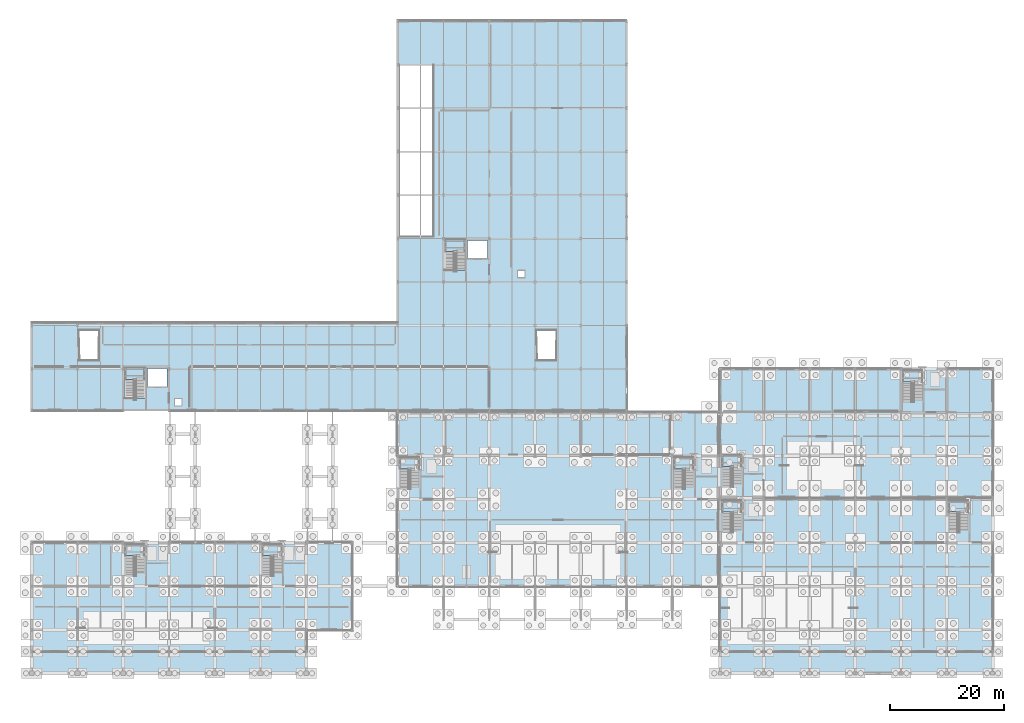
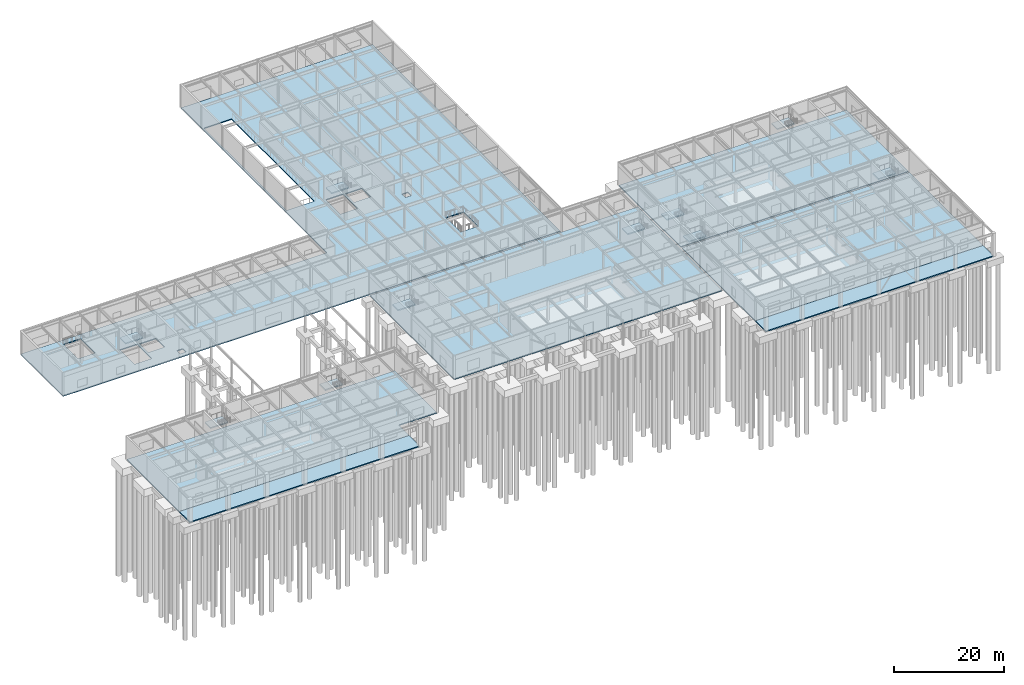
# One storey, part 35 of 62: 17 slabs, 10 elements without a shape of their own.
"""IFC4 building model written with IfcOpenShell, lengths in metres."""

from ifc_helpers import new_model, si_unit, direction, frame, origin, place, context, subcontext, project, spatial, polyline, outline, extrude, material, layer, layer_set, type_object, element, aggregate, save


model = new_model("IFC4")

# Units and contexts
model_context = context("Model", 3, precision=1e-05, world=origin(), true_north=direction((0.0, 1.0)))
body_context = subcontext(model_context, "Body", "Model", "MODEL_VIEW")
ifc_project = project(units=[si_unit("LENGTHUNIT", "METRE"), si_unit("AREAUNIT", "SQUARE_METRE"), si_unit("VOLUMEUNIT", "CUBIC_METRE"), si_unit("PLANEANGLEUNIT", "RADIAN"), si_unit("MASSUNIT", "GRAM", prefix="KILO")], contexts=[model_context])

# Site, building, storey
site_placement = place(None, origin())
site = spatial("IfcSite", under=ifc_project, at=site_placement, CompositionType="ELEMENT")
building_placement = place(site_placement, origin())
building = spatial("IfcBuilding", under=site, at=building_placement, Name="Zulena Civic Courthouse", CompositionType="ELEMENT")
storey_placement = place(building_placement, origin())
storey = spatial("IfcBuildingStorey", under=building, at=storey_placement, Name="L00", CompositionType="ELEMENT", Elevation=0.0)

# Slabs
ifc_material_1 = material(Name="Concrete C35/45", Category="concrete")
ifc_layer_1 = layer(ifc_material_1, 0.22998046875)
ifc_layer_set_1 = layer_set([ifc_layer_1], Name="Concrete C35/45")
slab_type_1 = type_object("IfcSlabType", Name="ArcadeSlab_230", PredefinedType="BASESLAB", material=ifc_layer_set_1)
slab_1_placement = place(storey_placement, frame((0.0, 0.0, -0.22998046875)))
element("IfcSlab", 1, at=slab_1_placement, inside=storey, type_object=slab_type_1, Name="slab:arcade:1", PredefinedType="BASESLAB", context=body_context, shape_type="SweptSolid", body=[
    extrude(outline(polyline([(4.0, 0.0), (52.0, 0.0), (52.0, 3.800048828125), (4.0, 3.800048828125), (4.0, 0.0)])), origin(), (0.0, 0.0, 1.0), 0.22998046875),
])
slab_2_placement = place(storey_placement, frame((0.0, 0.0, -0.22998046875)))
element("IfcSlab", 2, at=slab_2_placement, inside=storey, type_object=slab_type_1, Name="slab:arcade:2", PredefinedType="BASESLAB", context=body_context, shape_type="SweptSolid", body=[
    extrude(outline(polyline([(124.39990234375, 0.0), (172.0, 0.0), (172.0, 3.800048828125), (124.39990234375, 3.800048828125), (124.39990234375, 0.0)])), origin(), (0.0, 0.0, 1.0), 0.22998046875),
])
ifc_layer_2 = layer(ifc_material_1, 0.219970703125)
ifc_layer_set_2 = layer_set([ifc_layer_2], Name="Concrete C35/45")
slab_type_2 = type_object("IfcSlabType", Name="GroundSlab_220", PredefinedType="BASESLAB", material=ifc_layer_set_2)
slab_3_placement = place(storey_placement, frame((0.0, 0.0, -0.219970703125)))
element("IfcSlab", 3, at=slab_3_placement, inside=storey, type_object=slab_type_2, Name="slab:V1:L00", PredefinedType="BASESLAB", context=body_context, shape_type="SweptSolid", body=[
    extrude(outline(polyline([(124.39990234375, 3.800048828125), (172.0, 3.800048828125), (172.0, 30.39990234375), (124.39990234375, 30.39990234375), (124.39990234375, 3.800048828125)])), origin(), (0.0, 0.0, 1.0), 0.219970703125),
])
slab_4_placement = place(storey_placement, frame((0.0, 0.0, -0.219970703125)))
element("IfcSlab", 4, at=slab_4_placement, inside=storey, type_object=slab_type_2, Name="slab:V2:L00", PredefinedType="BASESLAB", context=body_context, shape_type="SweptSolid", body=[
    extrude(outline(polyline([(4.0, 3.800048828125), (52.0, 3.800048828125), (52.0, 7.60009765625), (60.0, 7.60009765625), (60.0, 22.800048828125), (4.0, 22.800048828125), (4.0, 3.800048828125)])), origin(), (0.0, 0.0, 1.0), 0.219970703125),
])
slab_5_placement = place(storey_placement, frame((0.0, 0.0, -0.219970703125)))
element("IfcSlab", 5, at=slab_5_placement, inside=storey, type_object=slab_type_2, Name="slab:V3:L00", PredefinedType="BASESLAB", context=body_context, shape_type="SweptSolid", body=[
    extrude(outline(polyline([(124.39990234375, 30.800048828125), (172.0, 30.800048828125), (172.0, 53.199951171875), (124.39990234375, 53.199951171875), (124.39990234375, 30.800048828125)])), origin(), (0.0, 0.0, 1.0), 0.219970703125),
])
slab_6_placement = place(storey_placement, frame((0.0, 0.0, -0.219970703125)))
element("IfcSlab", 6, at=slab_6_placement, inside=storey, type_object=slab_type_2, Name="slab:V4:L00", PredefinedType="BASESLAB", context=body_context, shape_type="SweptSolid", body=[
    extrude(outline(polyline([(68.0, 15.199951171875), (124.0, 15.199951171875), (124.0, 45.60009765625), (68.0, 45.60009765625), (68.0, 15.199951171875)])), origin(), (0.0, 0.0, 1.0), 0.219970703125),
])
slab_7_placement = place(storey_placement, frame((0.0, 0.0, -0.219970703125)))
element("IfcSlab", 7, at=slab_7_placement, inside=storey, type_object=slab_type_2, Name="slab:V5:L00", PredefinedType="BASESLAB", context=body_context, shape_type="SweptSolid", body=[
    extrude(outline(polyline([(68.0, 114.0), (108.0, 114.0), (108.0, 46.0), (4.0, 46.0), (4.0, 61.199951171875), (68.0, 61.199951171875), (68.0, 114.0)]), holes=[polyline([(23.81005859375, 48.1201171875), (23.81005859375, 53.409912109375), (20.18994140625, 53.409912109375), (20.18994140625, 48.1201171875), (23.81005859375, 48.1201171875)]), polyline([(24.199951171875, 50.10009765625), (27.64990234375, 50.10009765625), (27.64990234375, 53.25), (24.199951171875, 53.25), (24.199951171875, 50.10009765625)]), polyline([(76.18994140625, 75.81005859375), (76.18994140625, 70.52001953125), (79.81005859375, 70.52001953125), (79.81005859375, 75.81005859375), (76.18994140625, 75.81005859375)]), polyline([(83.64990234375, 75.64990234375), (80.199951171875, 75.64990234375), (80.199951171875, 72.5), (83.64990234375, 72.5), (83.64990234375, 75.64990234375)]), polyline([(30.199951171875, 46.800048828125), (30.199951171875, 48.0), (29.0, 48.0), (29.0, 46.800048828125), (30.199951171875, 46.800048828125)]), polyline([(89.0, 69.199951171875), (90.199951171875, 69.199951171875), (90.199951171875, 70.39990234375), (89.0, 70.39990234375), (89.0, 69.199951171875)]), polyline([(68.35009765625, 106.39990234375), (68.35009765625, 76.39990234375), (74.14990234375, 76.39990234375), (74.14990234375, 106.39990234375), (68.35009765625, 106.39990234375)]), polyline([(15.81005859375, 60.010009765625), (12.18994140625, 60.010009765625), (12.18994140625, 54.719970703125), (15.81005859375, 54.719970703125), (15.81005859375, 60.010009765625)]), polyline([(95.81005859375, 54.719970703125), (95.81005859375, 60.010009765625), (92.18994140625, 60.010009765625), (92.18994140625, 54.719970703125), (95.81005859375, 54.719970703125)])]), origin(), (0.0, 0.0, 1.0), 0.219970703125),
])

# Stair, slab
ifc_material_2 = material(Name="Precast concrete C40/50", Category="concrete")
stair_type = type_object("IfcStairType", Name="HalfTurnStair_5400", PredefinedType="HALF_TURN_STAIR", material=ifc_material_2)
stair_1_placement = place(storey_placement, origin())
stair_1 = element("IfcStair", 8, at=stair_1_placement, inside=storey, type_object=stair_type, Name="stair:K2A:L00", PredefinedType="HALF_TURN_STAIR")
ifc_layer_3 = layer(ifc_material_2, 0.280029296875)
ifc_layer_set_3 = layer_set([ifc_layer_3], Name="Precast concrete C40/50")
slab_type_3 = type_object("IfcSlabType", Name="StairLandingSlab_280", PredefinedType="LANDING", material=ifc_layer_set_3)
slab_8_placement = place(storey_placement, frame((0.0, 0.0, 2.419921875)))
slab_8 = element("IfcSlab", 9, at=slab_8_placement, type_object=slab_type_3, Name="stair:K2A:L00:LND", PredefinedType="LANDING", context=body_context, shape_type="SweptSolid", body=[
    extrude(outline(polyline([(20.179931640625, 20.549560546875), (23.820068359375, 20.549560546875), (23.820068359375, 22.6201171875), (20.179931640625, 22.6201171875), (20.179931640625, 20.549560546875)])), origin(), (0.0, 0.0, 1.0), 0.280029296875),
])
aggregate(stair_1, [slab_8])

stair_2_placement = place(storey_placement, origin())
stair_2 = element("IfcStair", 10, at=stair_2_placement, inside=storey, type_object=stair_type, Name="stair:K2B:L00", PredefinedType="HALF_TURN_STAIR")
slab_9_placement = place(storey_placement, frame((0.0, 0.0, 2.419921875)))
slab_9 = element("IfcSlab", 11, at=slab_9_placement, type_object=slab_type_3, Name="stair:K2B:L00:LND", PredefinedType="LANDING", context=body_context, shape_type="SweptSolid", body=[
    extrude(outline(polyline([(44.179931640625, 20.549560546875), (47.820068359375, 20.549560546875), (47.820068359375, 22.6201171875), (44.179931640625, 22.6201171875), (44.179931640625, 20.549560546875)])), origin(), (0.0, 0.0, 1.0), 0.280029296875),
])
aggregate(stair_2, [slab_9])

stair_3_placement = place(storey_placement, origin())
stair_3 = element("IfcStair", 12, at=stair_3_placement, inside=storey, type_object=stair_type, Name="stair:K1A:L00", PredefinedType="HALF_TURN_STAIR")
slab_10_placement = place(storey_placement, frame((0.0, 0.0, 2.419921875)))
slab_10 = element("IfcSlab", 13, at=slab_10_placement, type_object=slab_type_3, Name="stair:K1A:L00:LND", PredefinedType="LANDING", context=body_context, shape_type="SweptSolid", body=[
    extrude(outline(polyline([(124.580078125, 28.149658203125), (128.219970703125, 28.149658203125), (128.219970703125, 30.219970703125), (124.580078125, 30.219970703125), (124.580078125, 28.149658203125)])), origin(), (0.0, 0.0, 1.0), 0.280029296875),
])
aggregate(stair_3, [slab_10])

stair_4_placement = place(storey_placement, origin())
stair_4 = element("IfcStair", 14, at=stair_4_placement, inside=storey, type_object=stair_type, Name="stair:K1B:L00", PredefinedType="HALF_TURN_STAIR")
slab_11_placement = place(storey_placement, frame((0.0, 0.0, 2.419921875)))
slab_11 = element("IfcSlab", 15, at=slab_11_placement, type_object=slab_type_3, Name="stair:K1B:L00:LND", PredefinedType="LANDING", context=body_context, shape_type="SweptSolid", body=[
    extrude(outline(polyline([(164.179931640625, 28.149658203125), (167.820068359375, 28.149658203125), (167.820068359375, 30.219970703125), (164.179931640625, 30.219970703125), (164.179931640625, 28.149658203125)])), origin(), (0.0, 0.0, 1.0), 0.280029296875),
])
aggregate(stair_4, [slab_11])

stair_5_placement = place(storey_placement, origin())
stair_5 = element("IfcStair", 16, at=stair_5_placement, inside=storey, type_object=stair_type, Name="stair:K3A:L00", PredefinedType="HALF_TURN_STAIR")
slab_12_placement = place(storey_placement, frame((0.0, 0.0, 2.419921875)))
slab_12 = element("IfcSlab", 17, at=slab_12_placement, type_object=slab_type_3, Name="stair:K3A:L00:LND", PredefinedType="LANDING", context=body_context, shape_type="SweptSolid", body=[
    extrude(outline(polyline([(124.580078125, 36.149658203125), (128.219970703125, 36.149658203125), (128.219970703125, 38.219970703125), (124.580078125, 38.219970703125), (124.580078125, 36.149658203125)])), origin(), (0.0, 0.0, 1.0), 0.280029296875),
])
aggregate(stair_5, [slab_12])

stair_6_placement = place(storey_placement, origin())
stair_6 = element("IfcStair", 18, at=stair_6_placement, inside=storey, type_object=stair_type, Name="stair:K3B:L00", PredefinedType="HALF_TURN_STAIR")
slab_13_placement = place(storey_placement, frame((0.0, 0.0, 2.419921875)))
slab_13 = element("IfcSlab", 19, at=slab_13_placement, type_object=slab_type_3, Name="stair:K3B:L00:LND", PredefinedType="LANDING", context=body_context, shape_type="SweptSolid", body=[
    extrude(outline(polyline([(156.179931640625, 50.94970703125), (159.820068359375, 50.94970703125), (159.820068359375, 53.02001953125), (156.179931640625, 53.02001953125), (156.179931640625, 50.94970703125)])), origin(), (0.0, 0.0, 1.0), 0.280029296875),
])
aggregate(stair_6, [slab_13])

stair_7_placement = place(storey_placement, origin())
stair_7 = element("IfcStair", 20, at=stair_7_placement, inside=storey, type_object=stair_type, Name="stair:K4A:L00", PredefinedType="HALF_TURN_STAIR")
slab_14_placement = place(storey_placement, frame((0.0, 0.0, 2.419921875)))
slab_14 = element("IfcSlab", 21, at=slab_14_placement, type_object=slab_type_3, Name="stair:K4A:L00:LND", PredefinedType="LANDING", context=body_context, shape_type="SweptSolid", body=[
    extrude(outline(polyline([(68.179931640625, 35.74951171875), (71.820068359375, 35.74951171875), (71.820068359375, 37.820068359375), (68.179931640625, 37.820068359375), (68.179931640625, 35.74951171875)])), origin(), (0.0, 0.0, 1.0), 0.280029296875),
])
aggregate(stair_7, [slab_14])

stair_8_placement = place(storey_placement, origin())
stair_8 = element("IfcStair", 22, at=stair_8_placement, inside=storey, type_object=stair_type, Name="stair:K4B:L00", PredefinedType="HALF_TURN_STAIR")
slab_15_placement = place(storey_placement, frame((0.0, 0.0, 2.419921875)))
slab_15 = element("IfcSlab", 23, at=slab_15_placement, type_object=slab_type_3, Name="stair:K4B:L00:LND", PredefinedType="LANDING", context=body_context, shape_type="SweptSolid", body=[
    extrude(outline(polyline([(116.179931640625, 35.74951171875), (119.820068359375, 35.74951171875), (119.820068359375, 37.820068359375), (116.179931640625, 37.820068359375), (116.179931640625, 35.74951171875)])), origin(), (0.0, 0.0, 1.0), 0.280029296875),
])
aggregate(stair_8, [slab_15])

stair_9_placement = place(storey_placement, origin())
stair_9 = element("IfcStair", 24, at=stair_9_placement, inside=storey, type_object=stair_type, Name="stair:K5A:L00", PredefinedType="HALF_TURN_STAIR")
slab_16_placement = place(storey_placement, frame((0.0, 0.0, 2.419921875)))
slab_16 = element("IfcSlab", 25, at=slab_16_placement, type_object=slab_type_3, Name="stair:K5A:L00:LND", PredefinedType="LANDING", context=body_context, shape_type="SweptSolid", body=[
    extrude(outline(polyline([(20.179931640625, 51.349609375), (23.820068359375, 51.349609375), (23.820068359375, 53.419921875), (20.179931640625, 53.419921875), (20.179931640625, 51.349609375)])), origin(), (0.0, 0.0, 1.0), 0.280029296875),
])
aggregate(stair_9, [slab_16])

stair_10_placement = place(storey_placement, origin())
stair_10 = element("IfcStair", 26, at=stair_10_placement, inside=storey, type_object=stair_type, Name="stair:K5B:L00", PredefinedType="HALF_TURN_STAIR")
slab_17_placement = place(storey_placement, frame((0.0, 0.0, 2.419921875)))
slab_17 = element("IfcSlab", 27, at=slab_17_placement, type_object=slab_type_3, Name="stair:K5B:L00:LND", PredefinedType="LANDING", context=body_context, shape_type="SweptSolid", body=[
    extrude(outline(polyline([(76.179931640625, 73.74951171875), (79.820068359375, 73.74951171875), (79.820068359375, 75.820068359375), (76.179931640625, 75.820068359375), (76.179931640625, 73.74951171875)])), origin(), (0.0, 0.0, 1.0), 0.280029296875),
])
aggregate(stair_10, [slab_17])

save(model, "model.ifc")
